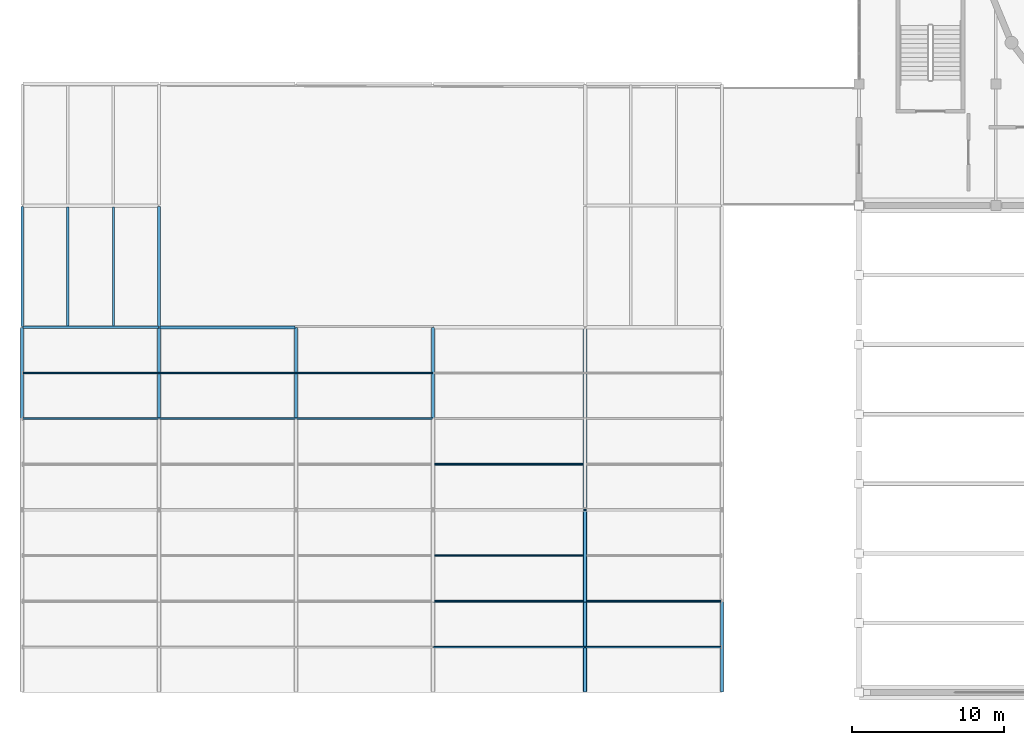
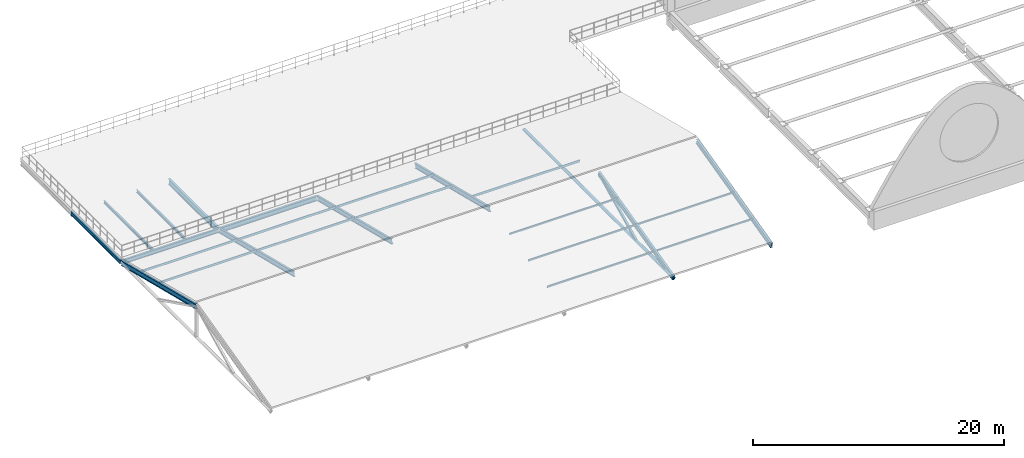
# One storey, part 8 of 54: 14 members, 12 beams.
"""IFC4 building model written with IfcOpenShell, lengths in metres."""

import ifcopenshell
import ifcopenshell.guid

model = None  # the IFC model being written
_history = None  # IfcOwnerHistory: only IFC2X3 demands one
_inside = {}  # id of a spatial element -> (the spatial element, [elements in it])
_under = {}  # id of a project, library or spatial element -> (it, [spatial elements below it])
_declared = {}  # id of a project -> (the project, [libraries it declares])
_typed = {}  # id of a type object -> (the type object, [elements of that type])
_made_of = {}  # id of a material, layer set ... -> (it, [elements and type objects made of it])


def new_model(schema):
    """Start an empty IFC model of exactly this schema.

    Asked for "IFC4X3", IfcOpenShell would pick the latest addendum, in which some entities
    have other attributes; the version numbers below select the first issue.
    IFC2X3 requires an IfcOwnerHistory on every rooted entity: one is made here for all.
    """
    global model, _history
    if schema == "IFC4X3":
        model = ifcopenshell.file(schema_version=(4, 3, 0, 0))
    else:
        model = ifcopenshell.file(schema=schema)
    _inside.clear()
    _under.clear()
    _declared.clear()
    _typed.clear()
    _made_of.clear()
    _history = None
    if model.schema == "IFC2X3":
        org = make("IfcOrganization", Name="unknown")
        user = make(
            "IfcPersonAndOrganization",
            ThePerson=make("IfcPerson", FamilyName="unknown"),
            TheOrganization=org,
        )
        app = make(
            "IfcApplication",
            ApplicationDeveloper=org,
            Version="unknown",
            ApplicationFullName="unknown",
            ApplicationIdentifier="unknown",
        )
        _history = make(
            "IfcOwnerHistory",
            OwningUser=user,
            OwningApplication=app,
            ChangeAction="ADDED",
            CreationDate=0,
        )
    return model


def make(cls, **values):
    """One entity of the class cls with the attributes given. An attribute that is None is left unset."""
    return model.create_entity(
        cls, **{name: value for name, value in values.items() if value is not None}
    )


def rooted(cls, **values):
    """An entity with a GlobalId (a new one), such as an element, a storey or a relation."""
    return make(cls, GlobalId=ifcopenshell.guid.new(), OwnerHistory=_history, **values)


def si_unit(unit_type, name, prefix=None):
    """IfcSIUnit, for example si_unit("LENGTHUNIT", "METRE", prefix="MILLI")."""
    return make("IfcSIUnit", UnitType=unit_type, Prefix=prefix, Name=name)


def assignment(units):
    """IfcUnitAssignment: the units of a project."""
    return None if units is None else make("IfcUnitAssignment", Units=units)


def point(xyz):
    """IfcCartesianPoint."""
    return None if xyz is None else make("IfcCartesianPoint", Coordinates=xyz)


def direction(xyz):
    """IfcDirection."""
    return None if xyz is None else make("IfcDirection", DirectionRatios=xyz)


def frame(location, z_axis=None, x_axis=None):
    """IfcAxis2Placement3D, a coordinate frame: its origin and axes. An axis left out is left unset."""
    return make(
        "IfcAxis2Placement3D",
        Location=point(location),
        Axis=direction(z_axis),
        RefDirection=direction(x_axis),
    )


def frame_2d(location, x_axis=None):
    """IfcAxis2Placement2D, a coordinate frame in the plane: its origin and x axis."""
    return make(
        "IfcAxis2Placement2D", Location=point(location), RefDirection=direction(x_axis)
    )


def origin():
    """The frame at (0, 0, 0) with its axes left unset."""
    return frame((0.0, 0.0, 0.0))


def origin_2d():
    """The frame at (0, 0) in the plane with its x axis left unset."""
    return frame_2d((0.0, 0.0))


def place(relative_to, where):
    """IfcLocalPlacement: puts the frame where relative to a parent placement (None: the world)."""
    return make(
        "IfcLocalPlacement", PlacementRelTo=relative_to, RelativePlacement=where
    )


def context(
    kind, dimensions, precision=None, world=None, true_north=None, identifier=None
):
    """IfcGeometricRepresentationContext, for example the 3D "Model" context."""
    return make(
        "IfcGeometricRepresentationContext",
        ContextIdentifier=identifier,
        ContextType=kind,
        CoordinateSpaceDimension=dimensions,
        Precision=precision,
        WorldCoordinateSystem=world,
        TrueNorth=true_north,
    )


def subcontext(parent, identifier, kind, view, scale=None):
    """IfcGeometricRepresentationSubContext, for example "Body" below "Model"."""
    return make(
        "IfcGeometricRepresentationSubContext",
        ContextIdentifier=identifier,
        ContextType=kind,
        ParentContext=parent,
        TargetScale=scale,
        TargetView=view,
    )


def project(units=None, contexts=None):
    """IfcProject with its units and contexts."""
    return rooted(
        "IfcProject",
        Name="project",
        RepresentationContexts=contexts,
        UnitsInContext=assignment(units),
    )


def spatial(cls, under=None, at=None, **own):
    """A site, building, storey or space (cls), placed at a placement, below another one or the project."""
    s = rooted(cls, ObjectPlacement=at, **own)
    if under is not None:
        _under.setdefault(under.id(), (under, []))[1].append(s)
    return s


def profile(cls, at=None, kind="AREA", **sizes):
    """A parametric profile (cls). Its sizes go by their IFC names, for example OverallWidth=200.0."""
    return make(cls, ProfileType=kind, Position=at, **sizes)


def hollow_rectangle(**sizes):
    """IfcRectangleHollowProfileDef."""
    return profile("IfcRectangleHollowProfileDef", **sizes)


def hollow_circle(**sizes):
    """IfcCircleHollowProfileDef."""
    return profile("IfcCircleHollowProfileDef", **sizes)


def i_section(**sizes):
    """IfcIShapeProfileDef."""
    return profile("IfcIShapeProfileDef", **sizes)


def extrude(swept, where, along, depth):
    """IfcExtrudedAreaSolid: the profile swept, set in the frame where, extruded along a direction by depth."""
    return make(
        "IfcExtrudedAreaSolid",
        SweptArea=swept,
        Position=where,
        ExtrudedDirection=direction(along),
        Depth=depth,
    )


def shape(context_of_items, identifier, shape_type, items):
    """IfcShapeRepresentation: the items that make up one representation, for example the "Body"."""
    return make(
        "IfcShapeRepresentation",
        ContextOfItems=context_of_items,
        RepresentationIdentifier=identifier,
        RepresentationType=shape_type,
        Items=items,
    )


def material(Name=None, Category=None):
    """IfcMaterial."""
    return make("IfcMaterial", Name=Name, Category=Category)


def material_profile(
    of_material, cross_section, Name=None, Category=None, Priority=None
):
    """IfcMaterialProfile: a cross section and its material."""
    return make(
        "IfcMaterialProfile",
        Name=Name,
        Material=of_material,
        Profile=cross_section,
        Priority=Priority,
        Category=Category,
    )


def profile_set(profiles, Name=None, composite=None):
    """IfcMaterialProfileSet."""
    return make(
        "IfcMaterialProfileSet",
        Name=Name,
        MaterialProfiles=profiles,
        CompositeProfile=composite,
    )


def made_of(thing, what):
    """Note that an element or type object is made of a material, layer set ...; save() writes the relation."""
    if what is not None:
        _made_of.setdefault(what.id(), (what, []))[1].append(thing)
    return thing


def type_object(cls, material=None, **own):
    """A type object (cls), such as IfcWallType, which elements share."""
    return made_of(rooted(cls, **own), material)


def element(
    cls,
    number,
    at=None,
    inside=None,
    cuts=None,
    type_object=None,
    material=None,
    context=None,
    identifier="Body",
    shape_type=None,
    held_by="IfcProductDefinitionShape",
    body=None,
    shapes=None,
    **own,
):
    """One element of the class cls, such as IfcWall. Its Tag is "e" and its number.

    at: its placement. inside: the storey or other place that contains it. cuts: it is an
    opening in that element (IfcRelVoidsElement). A single representation is given by context,
    identifier, shape_type and body (its items); several are given by shapes. held_by: the class
    of the entity that holds the representations. save() writes the other relations.
    """
    e = rooted(cls, Tag="e%d" % number, ObjectPlacement=at, **own)
    if body is not None:
        shapes = [shape(context, identifier, shape_type, body)]
    if shapes is not None:
        e.Representation = make(held_by, Representations=shapes)
    if inside is not None:
        _inside.setdefault(inside.id(), (inside, []))[1].append(e)
    if cuts is not None:
        rooted(
            "IfcRelVoidsElement", RelatingBuildingElement=cuts, RelatedOpeningElement=e
        )
    if type_object is not None:
        _typed.setdefault(type_object.id(), (type_object, []))[1].append(e)
    return made_of(e, material)


def aggregate(whole, parts):
    """IfcRelAggregates: a whole, such as a stair, and the parts it consists of."""
    return rooted("IfcRelAggregates", RelatingObject=whole, RelatedObjects=parts)


def save(model, path):
    """Write the relations noted so far, then the file.

    IfcRelAggregates (storeys below a building ...), IfcRelContainedInSpatialStructure (elements
    in a storey), IfcRelDefinesByType, IfcRelAssociatesMaterial and IfcRelDeclares: one each for
    every whole, place, type object, material and project.
    """
    for whole, parts in _under.values():
        aggregate(whole, parts)
    for where, things in _inside.values():
        rooted(
            "IfcRelContainedInSpatialStructure",
            RelatedElements=things,
            RelatingStructure=where,
        )
    for kind, things in _typed.values():
        rooted("IfcRelDefinesByType", RelatedObjects=things, RelatingType=kind)
    for what, things in _made_of.values():
        rooted("IfcRelAssociatesMaterial", RelatedObjects=things, RelatingMaterial=what)
    for by, libraries in _declared.values():
        rooted("IfcRelDeclares", RelatingContext=by, RelatedDefinitions=libraries)
    model.write(path)


model = new_model("IFC4")

# Units and contexts
model_context = context("Model", 3, precision=1e-05, world=origin(), true_north=direction((0.0, 1.0)))
body_context = subcontext(model_context, "Body", "Model", "MODEL_VIEW")
ifc_project = project(units=[si_unit("LENGTHUNIT", "METRE"), si_unit("AREAUNIT", "SQUARE_METRE"), si_unit("VOLUMEUNIT", "CUBIC_METRE"), si_unit("PLANEANGLEUNIT", "RADIAN"), si_unit("MASSUNIT", "GRAM", prefix="KILO")], contexts=[model_context])

# Site, building, storey
site_placement = place(None, origin())
site = spatial("IfcSite", under=ifc_project, at=site_placement, CompositionType="ELEMENT")
building_placement = place(site_placement, origin())
building = spatial("IfcBuilding", under=site, at=building_placement, Name="Marnock Terrace Opera House", CompositionType="ELEMENT")
storey_placement = place(building_placement, frame((0.0, 0.0, 19.199951171875)))
storey = spatial("IfcBuildingStorey", under=building, at=storey_placement, Name="L04", CompositionType="ELEMENT", Elevation=19.199951171875)

# Beams
ifc_material_1 = material(Name="Steel Grade 350 (AS/NZS 3679.1)", Category="steel")
ifc_material_profile_1 = material_profile(ifc_material_1, i_section(OverallWidth=0.177978515625, OverallDepth=0.402587890625, WebThickness=0.007568359375, FlangeThickness=0.010986328125, FilletRadius=0.011474609375, at=origin_2d()))
ifc_profile_set_1 = profile_set([ifc_material_profile_1], Name="Steel Grade 350 (AS/NZS 3679.1)")
beam_type_1 = type_object("IfcBeamType", Name="BM-GIRD-410", PredefinedType="BEAM", material=ifc_profile_set_1)
beam_1_placement = place(storey_placement, frame((0.050048828125, 32.0, -0.47119140625), z_axis=(1.0, 0.0, 0.0), x_axis=(0.0, 1.0, 0.0)))
element("IfcBeam", 1, at=beam_1_placement, inside=storey, type_object=beam_type_1, Name="L04 girder (0.0..9.0, Y=32.0)", PredefinedType="BEAM", context=body_context, shape_type="SweptSolid", body=[
    extrude(i_section(OverallWidth=0.177978515625, OverallDepth=0.402587890625, WebThickness=0.007568359375, FlangeThickness=0.010986328125, FilletRadius=0.011474609375, at=origin_2d()), origin(), (0.0, 0.0, 1.0), 8.89990234375),
])
ifc_material_profile_2 = material_profile(ifc_material_1, i_section(OverallWidth=0.19091796875, OverallDepth=0.46044921875, WebThickness=0.010009765625, FlangeThickness=0.01611328125, FilletRadius=0.011474609375, at=origin_2d()))
ifc_profile_set_2 = profile_set([ifc_material_profile_2], Name="Steel Grade 350 (AS/NZS 3679.1)")
beam_type_2 = type_object("IfcBeamType", Name="BM-GIRD-460A", PredefinedType="BEAM", material=ifc_profile_set_2)
beam_2_placement = place(storey_placement, frame((9.050048828125, 32.0, -0.500244140625), z_axis=(1.0, 0.0, 0.0), x_axis=(0.0, 1.0, 0.0)))
element("IfcBeam", 2, at=beam_2_placement, inside=storey, type_object=beam_type_2, Name="L04 girder (9.0..18.0, Y=32.0)", PredefinedType="BEAM", context=body_context, shape_type="SweptSolid", body=[
    extrude(i_section(OverallWidth=0.19091796875, OverallDepth=0.46044921875, WebThickness=0.010009765625, FlangeThickness=0.01611328125, FilletRadius=0.011474609375, at=origin_2d()), origin(), (0.0, 0.0, 1.0), 8.89990234375),
])
for number, where, z_axis, x_axis, name in (
    (3, (0.0, 31.919921875, -0.435546875), (0.0, -0.970520166592, 0.241019929132), (1.0, 0.0, 0.0), "Rehearsal Wing north pitched rafter"),
    (4, (9.0, 31.919921875, -0.435546875), (0.0, -0.970520166592, 0.241019929132), (1.0, 0.0, 0.0), "Rehearsal Wing north pitched rafter"),
    (5, (18.0, 31.919921875, -0.435546875), (0.0, -0.970520166592, 0.241019929132), (1.0, 0.0, 0.0), "Rehearsal Wing north pitched rafter"),
    (6, (27.0, 31.919921875, -0.435546875), (0.0, -0.970520166592, 0.241019929132), (1.0, 0.0, 0.0), "Rehearsal Wing north pitched rafter"),
    (7, (37.0, 8.080078125, -0.435546875), (0.0, 0.970520166592, 0.241019929132), (-1.0, 0.0, 0.0), "Rehearsal Wing south pitched rafter"),
    (8, (46.0, 8.080078125, -0.435546875), (0.0, 0.970520166592, 0.241019929132), (-1.0, 0.0, 0.0), "Rehearsal Wing south pitched rafter"),
):
    element("IfcBeam", number, at=place(storey_placement, frame(where, z_axis=z_axis, x_axis=x_axis)), inside=storey, type_object=beam_type_2, Name=name, PredefinedType="BEAM", context=body_context, shape_type="SweptSolid", body=[
        extrude(i_section(OverallWidth=0.19091796875, OverallDepth=0.46044921875, WebThickness=0.010009765625, FlangeThickness=0.01611328125, FilletRadius=0.011474609375, at=origin_2d()), origin(), (0.0, 0.0, 1.0), 12.281982421875),
    ])
ifc_material_profile_3 = material_profile(ifc_material_1, i_section(OverallWidth=0.208984375, OverallDepth=0.528076171875, WebThickness=0.009521484375, FlangeThickness=0.01318359375, FilletRadius=0.013916015625, at=origin_2d()))
ifc_profile_set_3 = profile_set([ifc_material_profile_3], Name="Steel Grade 350 (AS/NZS 3679.1)")
beam_type_3 = type_object("IfcBeamType", Name="BM-GIRD-530B", PredefinedType="BEAM", material=ifc_profile_set_3)
beam_3_placement = place(storey_placement, frame((9.0, 32.050048828125, -0.533935546875), z_axis=(0.0, 1.0, 0.0), x_axis=(-1.0, 0.0, 0.0)))
element("IfcBeam", 9, at=beam_3_placement, inside=storey, type_object=beam_type_3, Name="L04 girder (X=9.0, 32.0..40.0)", PredefinedType="BEAM", context=body_context, shape_type="SweptSolid", body=[
    extrude(i_section(OverallWidth=0.208984375, OverallDepth=0.528076171875, WebThickness=0.009521484375, FlangeThickness=0.01318359375, FilletRadius=0.013916015625, at=origin_2d()), origin(), (0.0, 0.0, 1.0), 7.89990234375),
])
ifc_material_profile_4 = material_profile(ifc_material_1, i_section(OverallWidth=0.14599609375, OverallDepth=0.256103515625, WebThickness=0.00634765625, FlangeThickness=0.010986328125, FilletRadius=0.0087890625, at=origin_2d()))
ifc_profile_set_4 = profile_set([ifc_material_profile_4], Name="Steel Grade 350 (AS/NZS 3679.1)")
beam_type_4 = type_object("IfcBeamType", Name="BM-JOIST-250", PredefinedType="JOIST", material=ifc_profile_set_4)
for number, where, z_axis, x_axis, name in (
    (10, (3.0, 32.083984375, -0.39794921875), (0.0, 1.0, 0.0), (-1.0, 0.0, 0.0), "L04 secondary joist 0.4.1"),
    (11, (6.0, 32.083984375, -0.39794921875), (0.0, 1.0, 0.0), (-1.0, 0.0, 0.0), "L04 secondary joist 0.4.2"),
):
    element("IfcBeam", number, at=place(storey_placement, frame(where, z_axis=z_axis, x_axis=x_axis)), inside=storey, type_object=beam_type_4, Name=name, PredefinedType="JOIST", context=body_context, shape_type="SweptSolid", body=[
        extrude(i_section(OverallWidth=0.14599609375, OverallDepth=0.256103515625, WebThickness=0.00634765625, FlangeThickness=0.010986328125, FilletRadius=0.0087890625, at=origin_2d()), origin(), (0.0, 0.0, 1.0), 7.806396484375),
    ])
ifc_material_profile_5 = material_profile(ifc_material_1, i_section(OverallWidth=0.172119140625, OverallDepth=0.358642578125, WebThickness=0.008056640625, FlangeThickness=0.012939453125, FilletRadius=0.011474609375, at=origin_2d()))
ifc_profile_set_5 = profile_set([ifc_material_profile_5], Name="Steel Grade 350 (AS/NZS 3679.1)")
beam_type_5 = type_object("IfcBeamType", Name="BM-SPAN-360", PredefinedType="SPANDREL", material=ifc_profile_set_5)
beam_4_placement = place(storey_placement, frame((0.0, 32.050048828125, -0.44921875), z_axis=(0.0, 1.0, 0.0), x_axis=(-1.0, 0.0, 0.0)))
element("IfcBeam", 12, at=beam_4_placement, inside=storey, type_object=beam_type_5, Name="L04 girder (X=0.0, 32.0..40.0)", PredefinedType="SPANDREL", context=body_context, shape_type="SweptSolid", body=[
    extrude(i_section(OverallWidth=0.172119140625, OverallDepth=0.358642578125, WebThickness=0.008056640625, FlangeThickness=0.012939453125, FilletRadius=0.011474609375, at=origin_2d()), origin(), (0.0, 0.0, 1.0), 7.89990234375),
])

# Members
ifc_material_2 = material(Name="Cold-formed Steel Grade C350L0 (AS/NZS 1163)", Category="steel")
ifc_material_profile_6 = material_profile(ifc_material_2, hollow_rectangle(XDim=0.10009765625, YDim=0.199951171875, WallThickness=0.008056640625, InnerFilletRadius=0.008056640625, OuterFilletRadius=0.01611328125, at=origin_2d()))
ifc_profile_set_6 = profile_set([ifc_material_profile_6], Name="Cold-formed Steel Grade C350L0 (AS/NZS 1163)")
member_type_1 = type_object("IfcMemberType", Name="MEM-ROOF-PURL", PredefinedType="PURLIN", material=ifc_profile_set_6)
member_1_placement = place(storey_placement, frame((27.0400390625, 11.0, 0.428466796875), z_axis=(1.0, 0.0, 0.0), x_axis=(0.0, 0.970142684147, 0.242534889029)))
element("IfcMember", 13, at=member_1_placement, inside=storey, type_object=member_type_1, Name="Rehearsal Wing roof purlin Y=11 bay 4", PredefinedType="PURLIN", context=body_context, shape_type="SweptSolid", body=[
    extrude(hollow_rectangle(XDim=0.10009765625, YDim=0.199951171875, WallThickness=0.008056640625, InnerFilletRadius=0.008056640625, OuterFilletRadius=0.01611328125, at=origin_2d()), origin(), (0.0, 0.0, 1.0), 9.919921875),
])
member_2_placement = place(storey_placement, frame((37.0400390625, 11.0, 0.428466796875), z_axis=(1.0, 0.0, 0.0), x_axis=(0.0, 0.970142684147, 0.242534889029)))
element("IfcMember", 14, at=member_2_placement, inside=storey, type_object=member_type_1, Name="Rehearsal Wing roof purlin Y=11 bay 5", PredefinedType="PURLIN", context=body_context, shape_type="SweptSolid", body=[
    extrude(hollow_rectangle(XDim=0.10009765625, YDim=0.199951171875, WallThickness=0.008056640625, InnerFilletRadius=0.008056640625, OuterFilletRadius=0.01611328125, at=origin_2d()), origin(), (0.0, 0.0, 1.0), 8.919921875),
])
member_3_placement = place(storey_placement, frame((27.0400390625, 14.0, 1.178466796875), z_axis=(1.0, 0.0, 0.0), x_axis=(0.0, 0.970142684147, 0.242534889029)))
element("IfcMember", 15, at=member_3_placement, inside=storey, type_object=member_type_1, Name="Rehearsal Wing roof purlin Y=14 bay 4", PredefinedType="PURLIN", context=body_context, shape_type="SweptSolid", body=[
    extrude(hollow_rectangle(XDim=0.10009765625, YDim=0.199951171875, WallThickness=0.008056640625, InnerFilletRadius=0.008056640625, OuterFilletRadius=0.01611328125, at=origin_2d()), origin(), (0.0, 0.0, 1.0), 9.919921875),
])
member_4_placement = place(storey_placement, frame((37.0400390625, 14.0, 1.178466796875), z_axis=(1.0, 0.0, 0.0), x_axis=(0.0, 0.970142684147, 0.242534889029)))
element("IfcMember", 16, at=member_4_placement, inside=storey, type_object=member_type_1, Name="Rehearsal Wing roof purlin Y=14 bay 5", PredefinedType="PURLIN", context=body_context, shape_type="SweptSolid", body=[
    extrude(hollow_rectangle(XDim=0.10009765625, YDim=0.199951171875, WallThickness=0.008056640625, InnerFilletRadius=0.008056640625, OuterFilletRadius=0.01611328125, at=origin_2d()), origin(), (0.0, 0.0, 1.0), 8.919921875),
])
for number, where, z_axis, x_axis, name in (
    (17, (27.0400390625, 17.0, 1.928466796875), (1.0, 0.0, 0.0), (0.0, 0.970142684147, 0.242534889029), "Rehearsal Wing roof purlin Y=17 bay 4"),
    (18, (27.0400390625, 23.0, 1.928466796875), (1.0, 0.0, 0.0), (0.0, 0.970142684147, -0.242534889029), "Rehearsal Wing roof purlin Y=23 bay 4"),
):
    element("IfcMember", number, at=place(storey_placement, frame(where, z_axis=z_axis, x_axis=x_axis)), inside=storey, type_object=member_type_1, Name=name, PredefinedType="PURLIN", context=body_context, shape_type="SweptSolid", body=[
        extrude(hollow_rectangle(XDim=0.10009765625, YDim=0.199951171875, WallThickness=0.008056640625, InnerFilletRadius=0.008056640625, OuterFilletRadius=0.01611328125, at=origin_2d()), origin(), (0.0, 0.0, 1.0), 9.919921875),
    ])
for number, where, z_axis, x_axis, name in (
    (19, (0.0400390625, 26.0, 1.178466796875), (1.0, 0.0, 0.0), (0.0, 0.970142684147, -0.242534889029), "Rehearsal Wing roof purlin Y=26 bay 1"),
    (20, (9.0400390625, 26.0, 1.178466796875), (1.0, 0.0, 0.0), (0.0, 0.970142684147, -0.242534889029), "Rehearsal Wing roof purlin Y=26 bay 2"),
    (21, (18.0400390625, 26.0, 1.178466796875), (1.0, 0.0, 0.0), (0.0, 0.970142684147, -0.242534889029), "Rehearsal Wing roof purlin Y=26 bay 3"),
    (22, (0.0400390625, 29.0, 0.428466796875), (1.0, 0.0, 0.0), (0.0, 0.970142684147, -0.242534889029), "Rehearsal Wing roof purlin Y=29 bay 1"),
    (23, (9.0400390625, 29.0, 0.428466796875), (1.0, 0.0, 0.0), (0.0, 0.970142684147, -0.242534889029), "Rehearsal Wing roof purlin Y=29 bay 2"),
    (24, (18.0400390625, 29.0, 0.428466796875), (1.0, 0.0, 0.0), (0.0, 0.970142684147, -0.242534889029), "Rehearsal Wing roof purlin Y=29 bay 3"),
):
    element("IfcMember", number, at=place(storey_placement, frame(where, z_axis=z_axis, x_axis=x_axis)), inside=storey, type_object=member_type_1, Name=name, PredefinedType="PURLIN", context=body_context, shape_type="SweptSolid", body=[
        extrude(hollow_rectangle(XDim=0.10009765625, YDim=0.199951171875, WallThickness=0.008056640625, InnerFilletRadius=0.008056640625, OuterFilletRadius=0.01611328125, at=origin_2d()), origin(), (0.0, 0.0, 1.0), 8.919921875),
    ])
ifc_material_profile_7 = material_profile(ifc_material_2, hollow_rectangle(XDim=0.199951171875, YDim=0.199951171875, WallThickness=0.009033203125, InnerFilletRadius=0.009033203125, OuterFilletRadius=0.01806640625, at=origin_2d()))
ifc_profile_set_7 = profile_set([ifc_material_profile_7], Name="Cold-formed Steel Grade C350L0 (AS/NZS 1163)")
member_type_2 = type_object("IfcMemberType", Name="MEM-TRUSS-WEB2", PredefinedType="BRACE", material=ifc_profile_set_7)
member_5_placement = place(storey_placement, frame((37.0, 14.0, -0.435546875), z_axis=(0.0, 0.896793722632, 0.442448888628), x_axis=(-1.0, 0.0, 0.0)))
element("IfcMember", 25, at=member_5_placement, inside=storey, type_object=member_type_2, Name="Rehearsal Wing roof truss diagonal S", PredefinedType="BRACE", context=body_context, shape_type="SweptSolid", body=[
    extrude(hollow_rectangle(XDim=0.199951171875, YDim=0.199951171875, WallThickness=0.009033203125, InnerFilletRadius=0.009033203125, OuterFilletRadius=0.01806640625, at=origin_2d()), origin(), (0.0, 0.0, 1.0), 6.6904296875),
])
ifc_material_profile_8 = material_profile(ifc_material_2, hollow_circle(Radius=0.136474609375, WallThickness=0.00927734375, at=origin_2d()))
ifc_profile_set_8 = profile_set([ifc_material_profile_8], Name="Cold-formed Steel Grade C350L0 (AS/NZS 1163)")
member_type_3 = type_object("IfcMemberType", Name="MEM-VAULT-TIE", PredefinedType="COLLAR", material=ifc_profile_set_8)
member_6_placement = place(storey_placement, frame((37.0, 8.080078125, -0.435546875), z_axis=(0.0, 1.0, 0.0), x_axis=(-1.0, 0.0, 0.0)))
element("IfcMember", 26, at=member_6_placement, inside=storey, type_object=member_type_3, Name="Rehearsal Wing roof truss tie chord", PredefinedType="COLLAR", context=body_context, shape_type="SweptSolid", body=[
    extrude(hollow_circle(Radius=0.136474609375, WallThickness=0.00927734375, at=origin_2d()), origin(), (0.0, 0.0, 1.0), 23.83984375),
])

save(model, "model.ifc")
